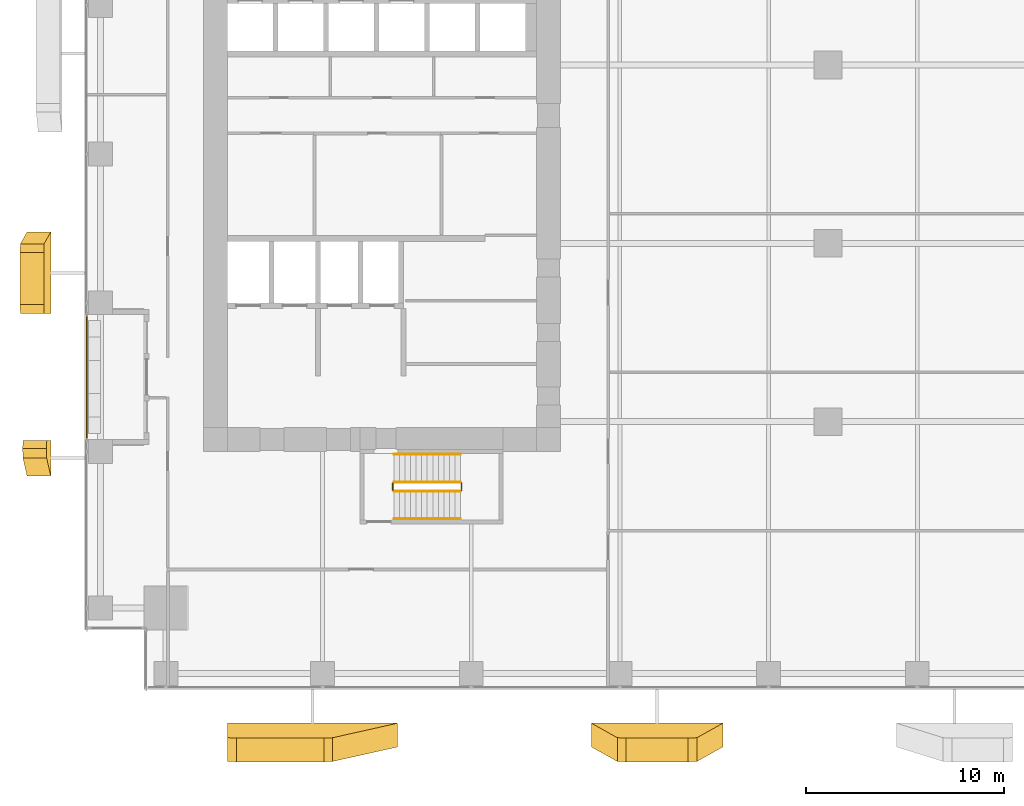
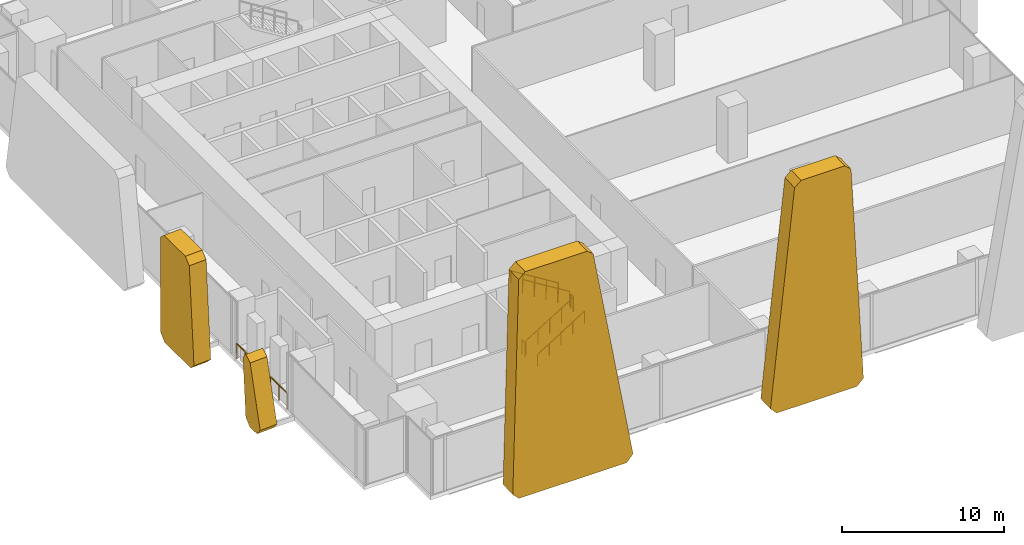
# One storey, part 31 of 34: 7 railings, 4 coverings.
"""IFC4 building model written with IfcOpenShell, lengths in metres."""

from ifc_helpers import new_model, si_unit, direction, frame, origin, origin_2d, place, context, subcontext, project, spatial, polyline, circle, outline, extrude, source, transform, mapped, material, layer, layer_set, type_object, element, save


model = new_model("IFC4")

# Units and contexts
model_context = context("Model", 3, precision=1e-05, world=origin(), true_north=direction((0.0, 1.0)))
body_context = subcontext(model_context, "Body", "Model", "MODEL_VIEW")
ifc_project = project(units=[si_unit("LENGTHUNIT", "METRE"), si_unit("AREAUNIT", "SQUARE_METRE"), si_unit("VOLUMEUNIT", "CUBIC_METRE"), si_unit("PLANEANGLEUNIT", "RADIAN"), si_unit("MASSUNIT", "GRAM", prefix="KILO")], contexts=[model_context])

# Site, building, storey
site_placement = place(None, origin())
site = spatial("IfcSite", under=ifc_project, at=site_placement, CompositionType="ELEMENT")
building_placement = place(site_placement, origin())
building = spatial("IfcBuilding", under=site, at=building_placement, Name="Khomas Fold Tower", CompositionType="ELEMENT")
storey_placement = place(building_placement, frame((0.0, 0.0, 51.0)))
storey = spatial("IfcBuildingStorey", under=building, at=storey_placement, Name="L10", CompositionType="ELEMENT", Elevation=51.0)

# Coverings
ifc_material_1 = material(Name="Natural stone cladding", Category="masonry")
ifc_layer = layer(ifc_material_1, 1.199951171875)
ifc_layer_set = layer_set([ifc_layer], Name="Natural stone cladding")
covering_type = type_object("IfcCoveringType", Name="SK-Karibib marble stone panel", PredefinedType="CLADDING", material=ifc_layer_set)
covering_1_placement = place(storey_placement, frame((12.511474609375, -2.44091796875, 17.1865234375), z_axis=(-1.19382e-07, 0.999041934605, 0.043763145461), x_axis=(0.191982998771, 0.042949097336, -0.980458006863)))
element("IfcCovering", 1, at=covering_1_placement, inside=storey, type_object=covering_type, Name="OUTER SKIN leaf L10 SS03-1", PredefinedType="CLADDING", context=body_context, shape_type="SweptSolid", body=[
    extrude(outline(polyline([(0.0, 0.0), (16.981992817444684, 0.0), (17.42411563452013, 0.5365104879782128), (15.949652456944325, 8.07382157143969), (15.421261917328245, 8.428936501599452), (-0.9348280640578801, 5.229326967147416), (-1.2904526531194296, 4.701279310568063), (-0.4418559263723395, 0.36333611118888903), (0.0, 0.0)])), origin(), (0.0, 0.0, -1.0), 1.199951171875),
])
covering_2_placement = place(storey_placement, frame((30.88916015625, -2.438720703125, 17.13525390625), z_axis=(0.0, 0.999042011646, 0.043761386697), x_axis=(0.078001545378, 0.043628056171, -0.995998168489)))
element("IfcCovering", 2, at=covering_2_placement, inside=storey, type_object=covering_type, Name="OUTER SKIN leaf L10 SS06-2", PredefinedType="CLADDING", context=body_context, shape_type="SweptSolid", body=[
    extrude(outline(polyline([(0.0, 0.0), (16.717041589459466, 0.0), (17.16615173663115, 0.4849952787960059), (16.71891875489269, 6.2011688130524), (16.19982431102572, 6.610656725160896), (-0.31377721269340486, 4.0104488534785006), (-0.6927284220723926, 3.53094280462917), (-0.4489355060742759, 0.41497714205517144), (0.0, 0.0)])), origin(), (0.0, 0.0, -1.0), 1.199951171875),
])
covering_3_placement = place(storey_placement, frame((-1.7080078125, 18.949951171875, 0.449951171875), z_axis=(0.999042026558, 1.171093e-05, 0.04376104471), x_axis=(-0.043761044713, -2.12e-10, 0.999042026626)))
element("IfcCovering", 3, at=covering_3_placement, inside=storey, type_object=covering_type, Name="OUTER SKIN leaf L10 WS05-1", PredefinedType="CLADDING", context=body_context, shape_type="SweptSolid", body=[
    extrude(outline(polyline([(0.0, 0.0), (7.657476088301272, 0.0), (8.107861610592316, -0.44995117271368384), (8.107861610036911, -3.0749511725336807), (7.692673445746004, -3.523437501743495), (0.035186673469160615, -4.122558592596035), (-0.4503855231636162, -3.6740722645035206), (-0.45038552248144775, -0.4499511709746074), (0.0, 0.0)])), origin(), (0.0, 0.0, -1.0), 1.199951171875),
])
covering_4_placement = place(storey_placement, frame((-1.929931640625, 12.142578125, 5.51611328125), z_axis=(0.999041215028, 4.3793811e-05, 0.043779547257), x_axis=(0.032371546063, 0.672503710488, -0.73938544913)))
element("IfcCovering", 4, at=covering_4_placement, inside=storey, type_object=covering_type, Name="OUTER SKIN leaf L10 WS05-2", PredefinedType="CLADDING", context=body_context, shape_type="SweptSolid", body=[
    extrude(outline(polyline([(0.0, 0.0), (0.6059010536238525, -1.6653345369377348e-16), (4.027056123799257, -3.1087135682396214), (4.057789800447186, -3.744605555835295), (3.461139779960863, -4.401221933824347), (2.7676991297046345, -4.368189794601394), (-0.05697010546064041, -0.6030405353231849), (0.0, 0.0)])), origin(), (0.0, 0.0, -1.0), 1.199951171875),
])

# Railings
ifc_material_2 = material(Name="Powder-coated steel", Category="steel")
railing_type_1 = type_object("IfcRailingType", Name="Balcony guard", PredefinedType="GUARDRAIL", material=ifc_material_2)
shared_shape_1 = source(origin(), body_context, "Body", "SweptSolid", [
    extrude(circle(Radius=0.02490234375, at=origin_2d()), frame((0.0, 0.0, 1.125), z_axis=(0.0, 1.0, 0.0), x_axis=(-1.0, 0.0, 0.0)), (0.0, 0.0, 1.0), 6.240234375),
    extrude(circle(Radius=0.02001953125, at=origin_2d()), origin(), (0.0, 0.0, 1.0), 1.099853515625),
    extrude(circle(Radius=0.02001953125, at=origin_2d()), frame((0.0, 1.0400390625, 0.0)), (0.0, 0.0, 1.0), 1.099853515625),
    extrude(circle(Radius=0.02001953125, at=origin_2d()), frame((0.0, 2.080078125, 0.0)), (0.0, 0.0, 1.0), 1.099853515625),
    extrude(circle(Radius=0.02001953125, at=origin_2d()), frame((0.0, 3.1201171875, 0.0)), (0.0, 0.0, 1.0), 1.099853515625),
    extrude(circle(Radius=0.02001953125, at=origin_2d()), frame((0.0, 4.16015625, 0.0)), (0.0, 0.0, 1.0), 1.099853515625),
    extrude(circle(Radius=0.02001953125, at=origin_2d()), frame((0.0, 5.2001953125, 0.0)), (0.0, 0.0, 1.0), 1.099853515625),
    extrude(circle(Radius=0.02001953125, at=origin_2d()), frame((0.0, 6.240234375, 0.0)), (0.0, 0.0, 1.0), 1.099853515625),
])
railing_1_placement = place(storey_placement, frame((0.10009765625, 12.6298828125, -0.044921875)))
element("IfcRailing", 5, at=railing_1_placement, inside=storey, type_object=railing_type_1, Name="Balcony guard BAL-L10-W1", PredefinedType="GUARDRAIL", context=body_context, shape_type="MappedRepresentation", body=[
    mapped(shared_shape_1, transform((0.0, 0.0, 0.0))),
])
ifc_material_3 = material(Name="Steel balustrade", Category="steel")
railing_type_2 = type_object("IfcRailingType", Name="Stair guard", PredefinedType="GUARDRAIL", material=ifc_material_3)
shared_shape_2 = source(origin(), body_context, "Body", "SweptSolid", [
    extrude(circle(Radius=0.02392578125, at=origin_2d()), frame((0.0, 0.0, 1.076171875), z_axis=(0.850606129759, 0.0, 0.525803396734), x_axis=(0.0, 1.0, 0.0)), (0.0, 0.0, 1.0), 3.949951171875),
    extrude(circle(Radius=0.02099609375, at=origin_2d()), origin(), (0.0, 0.0, 1.0), 1.052001953125),
    extrude(circle(Radius=0.02099609375, at=origin_2d()), frame((0.83984375, 0.0, 0.519287109375)), (0.0, 0.0, 1.0), 1.052001953125),
    extrude(circle(Radius=0.02099609375, at=origin_2d()), frame((1.679931640625, 0.0, 1.03857421875)), (0.0, 0.0, 1.0), 1.052001953125),
    extrude(circle(Radius=0.02099609375, at=origin_2d()), frame((2.52001953125, 0.0, 1.5576171875)), (0.0, 0.0, 1.0), 1.052001953125),
    extrude(circle(Radius=0.02099609375, at=origin_2d()), frame((3.35986328125, 0.0, 2.076904296875)), (0.0, 0.0, 1.0), 1.052001953125),
])
railing_2_placement = place(storey_placement, frame((15.60009765625, 10.0, 0.173095703125)))
element("IfcRailing", 6, at=railing_2_placement, inside=storey, type_object=railing_type_2, Name="L10 ST2 stair guard 1", PredefinedType="GUARDRAIL", context=body_context, shape_type="MappedRepresentation", body=[
    mapped(shared_shape_2, transform((0.0, 0.0, 0.0))),
])
shared_shape_3 = source(origin(), body_context, "Body", "SweptSolid", [
    extrude(circle(Radius=0.02392578125, at=origin_2d()), frame((0.0, 0.0, 1.076171875), z_axis=(0.0, 1.0, 0.0), x_axis=(-1.0, 0.0, 0.0)), (0.0, 0.0, 1.0), 0.349853515625),
    extrude(circle(Radius=0.02099609375, at=origin_2d()), origin(), (0.0, 0.0, 1.0), 1.052001953125),
    extrude(circle(Radius=0.02099609375, at=origin_2d()), frame((0.0, 0.349853515625, 0.0)), (0.0, 0.0, 1.0), 1.052001953125),
])
for number, where, name in (
    (7, (19.010009765625, 10.050048828125, 2.25), "L10 ST2 stair guard 2"),
    (8, (15.550048828125, 10.050048828125, 0.0), "L10 ST2 stair guard 4"),
):
    element("IfcRailing", number, at=place(storey_placement, frame(where)), inside=storey, type_object=railing_type_2, Name=name, PredefinedType="GUARDRAIL", context=body_context, shape_type="MappedRepresentation", body=[
        mapped(shared_shape_3, transform((0.0, 0.0, 0.0))),
    ])
shared_shape_4 = source(origin(), body_context, "Body", "SweptSolid", [
    extrude(circle(Radius=0.02392578125, at=origin_2d()), frame((0.0, 0.0, 1.076171875), z_axis=(-0.850606129759, 0.0, 0.525803396734), x_axis=(0.0, -1.0, 0.0)), (0.0, 0.0, 1.0), 3.949951171875),
    extrude(circle(Radius=0.02099609375, at=origin_2d()), origin(), (0.0, 0.0, 1.0), 1.052001953125),
    extrude(circle(Radius=0.02099609375, at=origin_2d()), frame((-0.83984375, 0.0, 0.519287109375)), (0.0, 0.0, 1.0), 1.052001953125),
    extrude(circle(Radius=0.02099609375, at=origin_2d()), frame((-1.679931640625, 0.0, 1.03857421875)), (0.0, 0.0, 1.0), 1.052001953125),
    extrude(circle(Radius=0.02099609375, at=origin_2d()), frame((-2.52001953125, 0.0, 1.5576171875)), (0.0, 0.0, 1.0), 1.052001953125),
    extrude(circle(Radius=0.02099609375, at=origin_2d()), frame((-3.35986328125, 0.0, 2.076904296875)), (0.0, 0.0, 1.0), 1.052001953125),
])
railing_3_placement = place(storey_placement, frame((18.9599609375, 10.449951171875, 2.423095703125)))
element("IfcRailing", 9, at=railing_3_placement, inside=storey, type_object=railing_type_2, Name="L10 ST2 stair guard 3", PredefinedType="GUARDRAIL", context=body_context, shape_type="MappedRepresentation", body=[
    mapped(shared_shape_4, transform((0.0, 0.0, 0.0))),
])
ifc_material_4 = material(Name="Steel handrail", Category="steel")
railing_type_3 = type_object("IfcRailingType", Name="Stair handrail", PredefinedType="HANDRAIL", material=ifc_material_4)
shared_shape_5 = source(origin(), body_context, "Body", "SweptSolid", [
    extrude(circle(Radius=0.02392578125, at=origin_2d()), frame((0.0, 0.0, 0.8759765625), z_axis=(0.850606129759, 0.0, 0.525803396734), x_axis=(0.0, 1.0, 0.0)), (0.0, 0.0, 1.0), 3.949951171875),
    extrude(circle(Radius=0.02099609375, at=origin_2d()), origin(), (0.0, 0.0, 1.0), 0.851806640625),
    extrude(circle(Radius=0.02099609375, at=origin_2d()), frame((0.83984375, 0.0, 0.519287109375)), (0.0, 0.0, 1.0), 0.851806640625),
    extrude(circle(Radius=0.02099609375, at=origin_2d()), frame((1.679931640625, 0.0, 1.03857421875)), (0.0, 0.0, 1.0), 0.851806640625),
    extrude(circle(Radius=0.02099609375, at=origin_2d()), frame((2.52001953125, 0.0, 1.5576171875)), (0.0, 0.0, 1.0), 0.851806640625),
    extrude(circle(Radius=0.02099609375, at=origin_2d()), frame((3.35986328125, 0.0, 2.076904296875)), (0.0, 0.0, 1.0), 0.851806640625),
])
railing_4_placement = place(storey_placement, frame((15.60009765625, 8.60009765625, 0.173095703125)))
element("IfcRailing", 10, at=railing_4_placement, inside=storey, type_object=railing_type_3, Name="L10 ST2 stair handrail 1", PredefinedType="HANDRAIL", context=body_context, shape_type="MappedRepresentation", body=[
    mapped(shared_shape_5, transform((0.0, 0.0, 0.0))),
])
shared_shape_6 = source(origin(), body_context, "Body", "SweptSolid", [
    extrude(circle(Radius=0.02392578125, at=origin_2d()), frame((0.0, 0.0, 0.8759765625), z_axis=(-0.850606129759, 0.0, 0.525803396734), x_axis=(0.0, -1.0, 0.0)), (0.0, 0.0, 1.0), 3.949951171875),
    extrude(circle(Radius=0.02099609375, at=origin_2d()), origin(), (0.0, 0.0, 1.0), 0.851806640625),
    extrude(circle(Radius=0.02099609375, at=origin_2d()), frame((-0.83984375, 0.0, 0.519287109375)), (0.0, 0.0, 1.0), 0.851806640625),
    extrude(circle(Radius=0.02099609375, at=origin_2d()), frame((-1.679931640625, 0.0, 1.03857421875)), (0.0, 0.0, 1.0), 0.851806640625),
    extrude(circle(Radius=0.02099609375, at=origin_2d()), frame((-2.52001953125, 0.0, 1.5576171875)), (0.0, 0.0, 1.0), 0.851806640625),
    extrude(circle(Radius=0.02099609375, at=origin_2d()), frame((-3.35986328125, 0.0, 2.076904296875)), (0.0, 0.0, 1.0), 0.851806640625),
])
railing_5_placement = place(storey_placement, frame((18.9599609375, 11.85009765625, 2.423095703125)))
element("IfcRailing", 11, at=railing_5_placement, inside=storey, type_object=railing_type_3, Name="L10 ST2 stair handrail 2", PredefinedType="HANDRAIL", context=body_context, shape_type="MappedRepresentation", body=[
    mapped(shared_shape_6, transform((0.0, 0.0, 0.0))),
])

save(model, "model.ifc")
